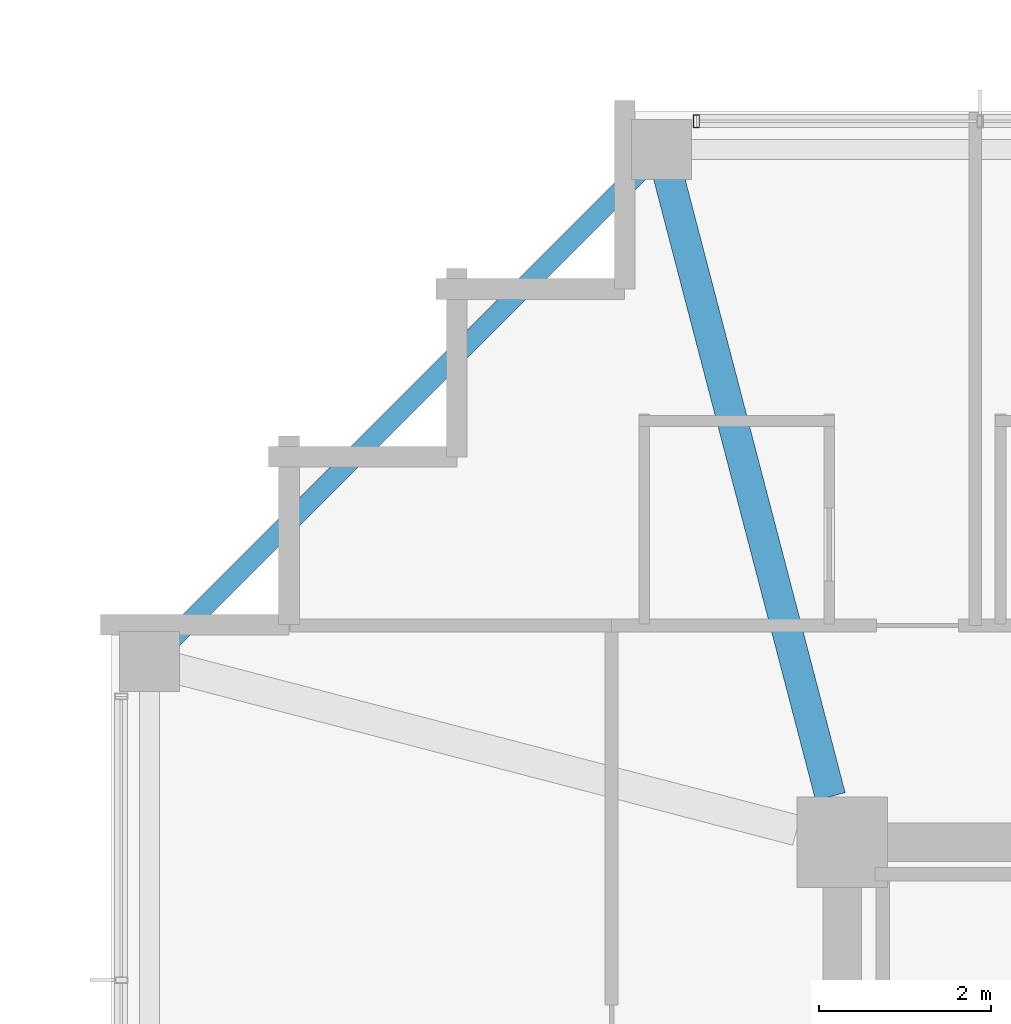
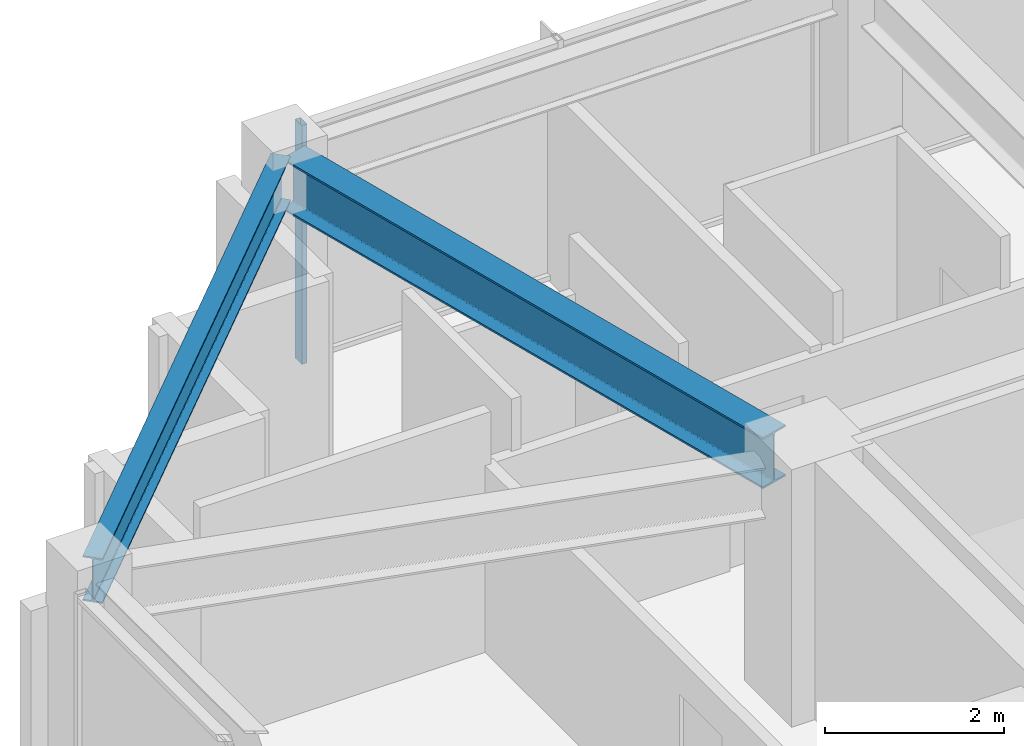
# One storey, part 14 of 29: 2 beams, 1 member, 1 element without a shape of its own.
"""IFC4 building model written with IfcOpenShell, lengths in metres."""

from ifc_helpers import new_model, si_unit, direction, frame, origin, origin_2d, place, context, subcontext, project, spatial, hollow_rectangle, i_section, extrude, material, material_profile, profile_set, type_object, element, aggregate, save


model = new_model("IFC4")

# Units and contexts
model_context = context("Model", 3, precision=1e-05, world=origin(), true_north=direction((0.0, 1.0)))
body_context = subcontext(model_context, "Body", "Model", "MODEL_VIEW")
ifc_project = project(units=[si_unit("LENGTHUNIT", "METRE"), si_unit("AREAUNIT", "SQUARE_METRE"), si_unit("VOLUMEUNIT", "CUBIC_METRE"), si_unit("PLANEANGLEUNIT", "RADIAN"), si_unit("MASSUNIT", "GRAM", prefix="KILO")], contexts=[model_context])

# Site, building, storey
site_placement = place(None, origin())
site = spatial("IfcSite", under=ifc_project, at=site_placement, CompositionType="ELEMENT")
building_placement = place(site_placement, origin())
building = spatial("IfcBuilding", under=site, at=building_placement, Name="Kolvaren Belvedere", CompositionType="ELEMENT")
storey_placement = place(building_placement, frame((0.0, 0.0, 244.39990234375)))
storey = spatial("IfcBuildingStorey", under=building, at=storey_placement, Name="L71", CompositionType="ELEMENT", Elevation=244.39990234375)

# Beams
ifc_material_1 = material(Name="Structural steel ASTM A992 Grade 50", Category="steel")
ifc_material_profile_1 = material_profile(ifc_material_1, i_section(OverallWidth=0.35498046875, OverallDepth=0.696044921875, WebThickness=0.015380859375, FlangeThickness=0.02490234375, FilletRadius=0.02197265625, at=origin_2d()), Name="W27X146")
ifc_profile_set_1 = profile_set([ifc_material_profile_1], Name="Structural steel ASTM A992 Grade 50")
beam_type_1 = type_object("IfcBeamType", Name="BM-GIRD-W27X146", PredefinedType="BEAM", material=ifc_profile_set_1)
beam_1_placement = place(storey_placement, frame((-10.038818359375, 10.43212890625, 2.902099609375), z_axis=(-0.25241668651, 0.967618631679, 0.0), x_axis=(-0.967618631679, -0.25241668651, 0.0)))
element("IfcBeam", 1, at=beam_1_placement, inside=storey, type_object=beam_type_1, Name="L71 Corner Core-to-Perimeter Girder CC4-N1", PredefinedType="BEAM", context=body_context, shape_type="SweptSolid", body=[
    extrude(i_section(OverallWidth=0.35498046875, OverallDepth=0.696044921875, WebThickness=0.015380859375, FlangeThickness=0.02490234375, FilletRadius=0.02197265625, at=origin_2d()), origin(), (0.0, 0.0, 1.0), 7.62939453125),
])
ifc_material_2 = material(Name="Structural steel ASTM A992 Grade 50", Category="steel")
ifc_material_profile_2 = material_profile(ifc_material_2, i_section(OverallWidth=0.22900390625, OverallDepth=0.612060546875, WebThickness=0.011962890625, FlangeThickness=0.01953125, FilletRadius=0.01806640625, at=origin_2d()), Name="W24X84")
ifc_profile_set_2 = profile_set([ifc_material_profile_2], Name="Structural steel ASTM A992 Grade 50")
beam_type_2 = type_object("IfcBeamType", Name="BM-SPAN-W24X84", PredefinedType="SPANDREL", material=ifc_profile_set_2)
beam_2_placement = place(storey_placement, frame((-12.111328125, 17.838623046875, 2.944091796875), z_axis=(-0.707106781187, -0.707106781187, 0.0), x_axis=(0.707106781187, -0.707106781187, 0.0)))
element("IfcBeam", 2, at=beam_2_placement, inside=storey, type_object=beam_type_2, Name="L71 Perimeter Spandrel N1-W4", PredefinedType="SPANDREL", context=body_context, shape_type="SweptSolid", body=[
    extrude(i_section(OverallWidth=0.22900390625, OverallDepth=0.612060546875, WebThickness=0.011962890625, FlangeThickness=0.01953125, FilletRadius=0.01806640625, at=origin_2d()), origin(), (0.0, 0.0, 1.0), 8.099609375),
])

# Curtain wall, member
ifc_material_3 = material(Name="Anodised pale-metal aluminium AA 6063-T6", Category="aluminium")
curtain_wall_type = type_object("IfcCurtainWallType", Name="CW-Z5-HIGH", PredefinedType="NOTDEFINED", material=ifc_material_3)
curtain_wall_placement = place(storey_placement, origin())
curtain_wall = element("IfcCurtainWall", 3, at=curtain_wall_placement, inside=storey, type_object=curtain_wall_type, Name="L71 Unitised Curtain Wall FCW-L71-N-B1", PredefinedType="NOTDEFINED")
ifc_material_4 = material(Name="Anodised pale-metal aluminium AA 6063-T6", Category="aluminium")
ifc_material_profile_3 = material_profile(ifc_material_4, hollow_rectangle(XDim=0.070068359375, YDim=0.14990234375, WallThickness=0.004150390625, at=origin_2d()), Name="ALU-MUL-150X70")
ifc_profile_set_3 = profile_set([ifc_material_profile_3], Name="Anodised pale-metal aluminium AA 6063-T6")
member_type = type_object("IfcMemberType", Name="CW-MUL-150", PredefinedType="MULLION", material=ifc_profile_set_3)
member_placement = place(storey_placement, frame((-11.594970703125, 18.280029296875, 0.0), z_axis=(0.0, 0.0, 1.0), x_axis=(1.0, 0.0, 0.0)))
member = element("IfcMember", 4, at=member_placement, type_object=member_type, Name="FCW-L71-N-B1 Unitised Mullion 1", PredefinedType="MULLION", context=body_context, shape_type="SweptSolid", body=[
    extrude(hollow_rectangle(XDim=0.070068359375, YDim=0.14990234375, WallThickness=0.004150390625, at=origin_2d()), origin(), (0.0, 0.0, 1.0), 3.25),
])
aggregate(curtain_wall, [member])

save(model, "model.ifc")
